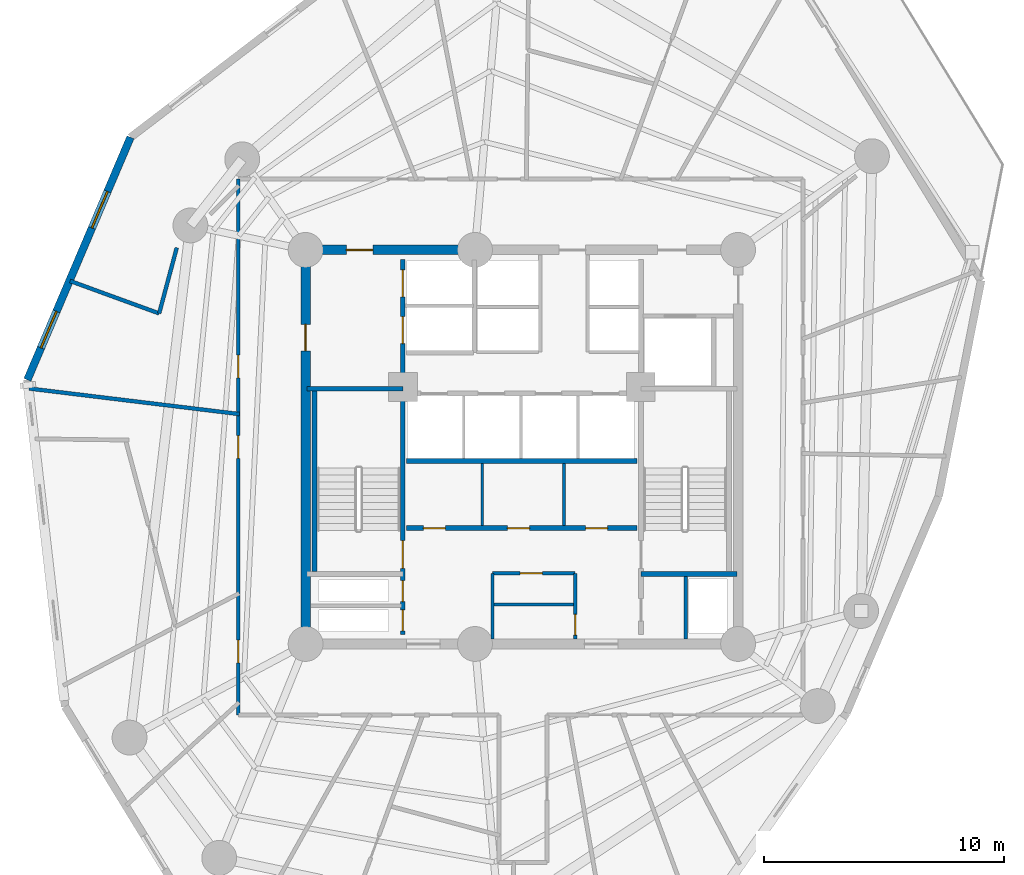
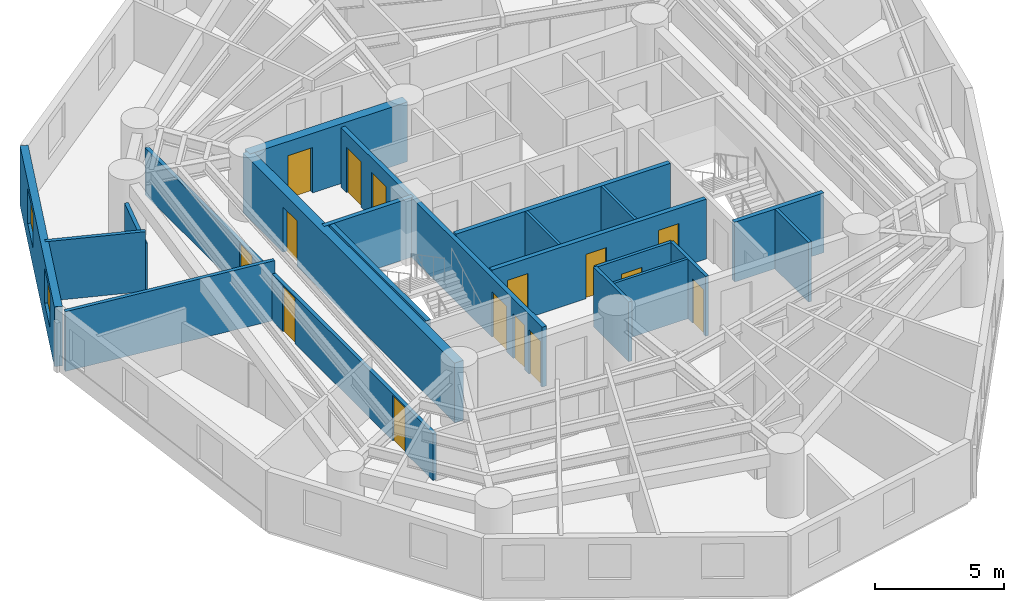
# One storey, part 4 of 9: 20 walls, 15 doors, 2 windows, 17 openings.
"""IFC4 building model written with IfcOpenShell, lengths in metres."""

from ifc_helpers import new_model, si_unit, direction, frame, frame_2d, origin, origin_with_axes, place, context, subcontext, project, spatial, rectangle, extrude, source, transform, mapped, material, layer, layer_set, type_object, element, fill, save


model = new_model("IFC4")

# Units and contexts
model_context = context("Model", 3, precision=1e-05, world=origin(), true_north=direction((0.0, 1.0)))
body_context = subcontext(model_context, "Body", "Model", "MODEL_VIEW")
ifc_project = project(units=[si_unit("LENGTHUNIT", "METRE"), si_unit("AREAUNIT", "SQUARE_METRE"), si_unit("VOLUMEUNIT", "CUBIC_METRE"), si_unit("PLANEANGLEUNIT", "RADIAN"), si_unit("MASSUNIT", "GRAM", prefix="KILO")], contexts=[model_context])

# Site, building, storey
site_placement = place(None, origin())
site = spatial("IfcSite", under=ifc_project, at=site_placement, CompositionType="ELEMENT")
building_placement = place(site_placement, origin())
building = spatial("IfcBuilding", under=site, at=building_placement, Name="Karkom Vertical University and Central Library", CompositionType="ELEMENT")
storey_placement = place(building_placement, frame((0.0, 0.0, 129.75)))
storey = spatial("IfcBuildingStorey", under=building, at=storey_placement, Name="L36", CompositionType="ELEMENT", Elevation=129.75)

# Wall, openings, windows
ifc_material_1 = material(Name="Brick-faced precast concrete C45/55", Category="masonry")
ifc_layer_1 = layer(ifc_material_1, 0.320068359375)
ifc_layer_set_1 = layer_set([ifc_layer_1], Name="Brick-faced precast concrete C45/55")
wall_type_1 = type_object("IfcWallType", Name="ENV-WL-BRK-320", PredefinedType="SOLIDWALL", material=ifc_layer_set_1)
wall_1_placement = place(storey_placement, frame((12.21337890625, 39.3857421875, 0.0), z_axis=(0.0, 0.0, 1.0), x_axis=(-0.391384325622, -0.920227314123, 0.0)))
wall_1 = element("IfcWall", 1, at=wall_1_placement, inside=storey, type_object=wall_type_1, Name="Level 36 Brick-Faced Precast Facade Wall 12", PredefinedType="SOLIDWALL", context=body_context, shape_type="SweptSolid", body=[
    extrude(rectangle(XDim=10.967529296875, YDim=0.320068359375, at=frame_2d((5.48388671875, 0.0))), origin(), (0.0, 0.0, 1.0), 2.824951171875),
])
opening_1_placement = place(wall_1_placement, frame((2.44775390625, 0.0, 0.85009765625)))
opening_1 = element("IfcOpeningElement", 2, at=opening_1_placement, cuts=wall_1, Name="Opening WN-06", PredefinedType="OPENING", context=body_context, shape_type="SweptSolid", body=[
    extrude(rectangle(XDim=1.64990234375, YDim=1.64990234375, at=frame_2d((0.824951171875, 0.824951171875))), frame((0.0, 0.169921875, 0.0), z_axis=(0.0, -1.0, 0.0), x_axis=(1.0, 0.0, 0.0)), (0.0, 0.0, 1.0), 0.340087890625),
])
opening_2_placement = place(wall_1_placement, frame((7.871337890625, 0.0, 0.85009765625)))
opening_2 = element("IfcOpeningElement", 3, at=opening_2_placement, cuts=wall_1, Name="Opening WN-06", PredefinedType="OPENING", context=body_context, shape_type="SweptSolid", body=[
    extrude(rectangle(XDim=1.64990234375, YDim=1.64990234375, at=frame_2d((0.824951171875, 0.824951171875))), frame((0.0, 0.169921875, 0.0), z_axis=(0.0, -1.0, 0.0), x_axis=(1.0, 0.0, 0.0)), (0.0, 0.0, 1.0), 0.340087890625),
])
ifc_material_2 = material(Name="Aluminium thermal-break frame with solar-control IGU", Category="aluminium")
window_type = type_object("IfcWindowType", Name="ENV-WIN-WN-06", PartitioningType="SINGLE_PANEL", PredefinedType="WINDOW", material=ifc_material_2)
shared_shape_1 = source(origin_with_axes(), body_context, "Body", "SweptSolid", [
    extrude(rectangle(XDim=1.64990234375, YDim=1.64990234375, at=frame_2d((0.824951171875, 0.824951171875))), frame((0.0, 0.030029296875, 0.0), z_axis=(0.0, -1.0, 0.0), x_axis=(1.0, 0.0, 0.0)), (0.0, 0.0, 1.0), 0.06005859375),
])
window_1_placement = place(opening_1_placement, origin())
window_1 = element("IfcWindow", 4, at=window_1_placement, inside=storey, type_object=window_type, Name="Level 36 Punched Window 12.1", OverallHeight=1.64990234375, OverallWidth=1.64990234375, PartitioningType="SINGLE_PANEL", PredefinedType="WINDOW", context=body_context, shape_type="MappedRepresentation", body=[
    mapped(shared_shape_1, transform((0.0, 0.0, 0.0), scale=1.0)),
])
fill(opening_1, window_1)
window_2_placement = place(opening_2_placement, origin())
window_2 = element("IfcWindow", 5, at=window_2_placement, inside=storey, type_object=window_type, Name="Level 36 Punched Window 12.2", OverallHeight=1.64990234375, OverallWidth=1.64990234375, PartitioningType="SINGLE_PANEL", PredefinedType="WINDOW", context=body_context, shape_type="MappedRepresentation", body=[
    mapped(shared_shape_1, transform((0.0, 0.0, 0.0), scale=1.0)),
])
fill(opening_2, window_2)

# Wall, openings, doors
ifc_material_3 = material(Name="Insulated metal-stud drywall 160mm", Category="gypsum")
ifc_layer_2 = layer(ifc_material_3, 0.159912109375)
ifc_layer_set_2 = layer_set([ifc_layer_2], Name="Insulated metal-stud drywall 160mm")
wall_type_2 = type_object("IfcWallType", Name="INT-WL-COR-160", PredefinedType="PARTITIONING", material=ifc_layer_set_2)
wall_2_placement = place(storey_placement, frame((16.699951171875, 15.35009765625, 0.0), z_axis=(0.0, 0.0, 1.0), x_axis=(0.0, 1.0, 0.0)))
wall_2 = element("IfcWall", 6, at=wall_2_placement, inside=storey, type_object=wall_type_2, Name="Level 36 Interior Partition Wall L36-CORW-CW-002", PredefinedType="PARTITIONING", context=body_context, shape_type="SweptSolid", body=[
    extrude(rectangle(XDim=22.2998046875, YDim=0.159912109375, at=frame_2d((11.14990234375, 0.0))), origin(), (0.0, 0.0, 1.0), 2.22509765625),
])
opening_3_placement = place(wall_2_placement, frame((10.675048828125, 0.0, 0.0)))
opening_3 = element("IfcOpeningElement", 7, at=opening_3_placement, cuts=wall_2, Name="Opening D-RM1", PredefinedType="OPENING", context=body_context, shape_type="SweptSolid", body=[
    extrude(rectangle(XDim=0.949951171875, YDim=2.14990234375, at=frame_2d((0.47509765625, 1.074951171875))), frame((0.0, 0.08984375, 0.0), z_axis=(0.0, -1.0, 0.0), x_axis=(1.0, 0.0, 0.0)), (0.0, 0.0, 1.0), 0.179931640625),
])
opening_4_placement = place(wall_2_placement, frame((2.158935546875, 0.0, 0.0)))
opening_4 = element("IfcOpeningElement", 8, at=opening_4_placement, cuts=wall_2, Name="Opening D-RM1", PredefinedType="OPENING", context=body_context, shape_type="SweptSolid", body=[
    extrude(rectangle(XDim=0.949951171875, YDim=2.14990234375, at=frame_2d((0.47509765625, 1.074951171875))), frame((0.0, 0.08984375, 0.0), z_axis=(0.0, -1.0, 0.0), x_axis=(1.0, 0.0, 0.0)), (0.0, 0.0, 1.0), 0.179931640625),
])
opening_5_placement = place(wall_2_placement, frame((14.02001953125, 0.0, 0.0)))
opening_5 = element("IfcOpeningElement", 9, at=opening_5_placement, cuts=wall_2, Name="Opening D-RM1", PredefinedType="OPENING", context=body_context, shape_type="SweptSolid", body=[
    extrude(rectangle(XDim=0.949951171875, YDim=2.14990234375, at=frame_2d((0.47509765625, 1.074951171875))), frame((0.0, 0.08984375, 0.0), z_axis=(0.0, -1.0, 0.0), x_axis=(1.0, 0.0, 0.0)), (0.0, 0.0, 1.0), 0.179931640625),
])
ifc_material_4 = material(Name="Solid-core oak veneer door", Category="wood")
door_type_1 = type_object("IfcDoorType", Name="INT-DR-RM1", OperationType="NOTDEFINED", PredefinedType="DOOR", material=ifc_material_4)
shared_shape_2 = source(origin_with_axes(), body_context, "Body", "SweptSolid", [
    extrude(rectangle(XDim=0.949951171875, YDim=2.14990234375, at=frame_2d((0.47509765625, 1.074951171875))), frame((0.0, 0.02490234375, 0.0), z_axis=(0.0, -1.0, 0.0), x_axis=(1.0, 0.0, 0.0)), (0.0, 0.0, 1.0), 0.050048828125),
])
door_1_placement = place(opening_3_placement, origin())
door_1 = element("IfcDoor", 10, at=door_1_placement, inside=storey, type_object=door_type_1, Name="Level 36 Room Entry Door 000", OperationType="SINGLE_SWING_RIGHT", OverallHeight=2.14990234375, OverallWidth=0.949951171875, PredefinedType="DOOR", context=body_context, shape_type="MappedRepresentation", body=[
    mapped(shared_shape_2, transform((0.0, 0.0, 0.0), scale=1.0)),
])
fill(opening_3, door_1)
door_2_placement = place(opening_4_placement, origin())
door_2 = element("IfcDoor", 11, at=door_2_placement, inside=storey, type_object=door_type_1, Name="Level 36 Room Entry Door 020", OperationType="SINGLE_SWING_LEFT", OverallHeight=2.14990234375, OverallWidth=0.949951171875, PredefinedType="DOOR", context=body_context, shape_type="MappedRepresentation", body=[
    mapped(shared_shape_2, transform((0.0, 0.0, 0.0), scale=1.0)),
])
fill(opening_4, door_2)
door_3_placement = place(opening_5_placement, origin())
door_3 = element("IfcDoor", 12, at=door_3_placement, inside=storey, type_object=door_type_1, Name="Level 36 Room Entry Door 220", OperationType="SINGLE_SWING_LEFT", OverallHeight=2.14990234375, OverallWidth=0.949951171875, PredefinedType="DOOR", context=body_context, shape_type="MappedRepresentation", body=[
    mapped(shared_shape_2, transform((0.0, 0.0, 0.0), scale=1.0)),
])
fill(opening_5, door_3)

# Walls
wall_3_placement = place(storey_placement, frame((7.989501953125, 28.93115234375, 0.0), z_axis=(0.0, 0.0, 1.0), x_axis=(0.992703690009, -0.120579367399, 0.0)))
element("IfcWall", 13, at=wall_3_placement, inside=storey, type_object=wall_type_2, Name="Level 36 Interior Partition Wall L36-PW-004", PredefinedType="PARTITIONING", context=body_context, shape_type="SweptSolid", body=[
    extrude(rectangle(XDim=8.81982421875, YDim=0.159912109375, at=frame_2d((4.409912109375, 0.0))), origin(), (0.0, 0.0, 1.0), 2.824951171875),
])
wall_4_placement = place(storey_placement, frame((13.406005859375, 32.056640625, 0.0), z_axis=(0.0, 0.0, 1.0), x_axis=(-0.939706694021, 0.341981474954, 0.0)))
element("IfcWall", 14, at=wall_4_placement, inside=storey, type_object=wall_type_2, Name="Level 36 Interior Partition Wall L36-PW-028", PredefinedType="PARTITIONING", context=body_context, shape_type="SweptSolid", body=[
    extrude(rectangle(XDim=3.946533203125, YDim=0.159912109375, at=frame_2d((1.97314453125, 0.0))), origin(), (0.0, 0.0, 1.0), 2.824951171875),
])
wall_5_placement = place(storey_placement, frame((14.138916015625, 34.79150390625, 0.0), z_axis=(0.0, 0.0, 1.0), x_axis=(-0.258853892004, -0.965916488416, 0.0)))
element("IfcWall", 15, at=wall_5_placement, inside=storey, type_object=wall_type_2, Name="Level 36 Interior Partition Wall L36-PW-027", PredefinedType="PARTITIONING", context=body_context, shape_type="SweptSolid", body=[
    extrude(rectangle(XDim=2.831298828125, YDim=0.159912109375, at=frame_2d((1.41552734375, 0.0))), origin(), (0.0, 0.0, 1.0), 2.22509765625),
])
ifc_material_5 = material(Name="Moisture-resistant drywall 120mm", Category="gypsum")
ifc_layer_3 = layer(ifc_material_5, 0.1201171875)
ifc_layer_set_3 = layer_set([ifc_layer_3], Name="Moisture-resistant drywall 120mm")
wall_type_3 = type_object("IfcWallType", Name="INT-WL-INT-120", PredefinedType="PARTITIONING", material=ifc_layer_set_3)
wall_6_placement = place(storey_placement, frame((27.280029296875, 19.93994140625, 0.0), z_axis=(0.0, 0.0, 1.0), x_axis=(1.0, 0.0, 0.0)))
element("IfcWall", 16, at=wall_6_placement, inside=storey, type_object=wall_type_3, Name="Level 36 Interior Partition Wall L36-CW-K4-DIV", PredefinedType="PARTITIONING", context=body_context, shape_type="SweptSolid", body=[
    extrude(rectangle(XDim=3.43994140625, YDim=0.1201171875, at=frame_2d((1.719970703125, 0.0))), origin(), (0.0, 0.0, 1.0), 2.824951171875),
])
for number, where, z_axis, x_axis, name in (
    (17, (26.85009765625, 23.22705078125, 0.0), (0.0, 0.0, 1.0), (0.0, 1.0, 0.0), "Level 36 Interior Partition Wall L36-CW-B1-K4A"),
    (18, (30.25, 23.22705078125, 0.0), (0.0, 0.0, 1.0), (0.0, 1.0, 0.0), "Level 36 Interior Partition Wall L36-CW-B1-K4B"),
):
    element("IfcWall", number, at=place(storey_placement, frame(where, z_axis=z_axis, x_axis=x_axis)), inside=storey, type_object=wall_type_3, Name=name, PredefinedType="PARTITIONING", context=body_context, shape_type="SweptSolid", body=[
        extrude(rectangle(XDim=2.586669921875, YDim=0.1201171875, at=frame_2d((1.29345703125, 0.0))), origin(), (0.0, 0.0, 1.0), 2.824951171875),
    ])

# Wall, opening, door
ifc_material_6 = material(Name="Metal-stud gypsum partition 140mm", Category="gypsum")
ifc_layer_4 = layer(ifc_material_6, 0.139892578125)
ifc_layer_set_4 = layer_set([ifc_layer_4], Name="Metal-stud gypsum partition 140mm")
wall_type_4 = type_object("IfcWallType", Name="INT-WL-SUB-140", PredefinedType="PARTITIONING", material=ifc_layer_set_4)
wall_7_placement = place(storey_placement, frame((27.280029296875, 21.239990234375, 0.0), z_axis=(0.0, 0.0, 1.0), x_axis=(1.0, 0.0, 0.0)))
wall_7 = element("IfcWall", 19, at=wall_7_placement, inside=storey, type_object=wall_type_4, Name="Level 36 Interior Partition Wall L36-CW-KBAY-N", PredefinedType="PARTITIONING", context=body_context, shape_type="SweptSolid", body=[
    extrude(rectangle(XDim=3.43994140625, YDim=0.139892578125, at=frame_2d((1.719970703125, 0.0))), origin(), (0.0, 0.0, 1.0), 2.824951171875),
])
opening_6_placement = place(wall_7_placement, frame((1.14990234375, 0.0, 0.0)))
opening_6 = element("IfcOpeningElement", 20, at=opening_6_placement, cuts=wall_7, Name="Opening D-SVC1", PredefinedType="OPENING", context=body_context, shape_type="SweptSolid", body=[
    extrude(rectangle(XDim=0.919921875, YDim=2.10009765625, at=frame_2d((0.4599609375, 1.050048828125))), frame((0.0, 0.080078125, 0.0), z_axis=(0.0, -1.0, 0.0), x_axis=(1.0, 0.0, 0.0)), (0.0, 0.0, 1.0), 0.159912109375),
])
ifc_material_7 = material(Name="Painted timber service door", Category="wood")
door_type_2 = type_object("IfcDoorType", Name="INT-DR-SVC1", OperationType="NOTDEFINED", PredefinedType="DOOR", material=ifc_material_7)
shared_shape_3 = source(origin_with_axes(), body_context, "Body", "SweptSolid", [
    extrude(rectangle(XDim=0.919921875, YDim=2.10009765625, at=frame_2d((0.4599609375, 1.050048828125))), frame((0.0, 0.02490234375, 0.0), z_axis=(0.0, -1.0, 0.0), x_axis=(1.0, 0.0, 0.0)), (0.0, 0.0, 1.0), 0.050048828125),
])
door_4_placement = place(opening_6_placement, origin())
door_4 = element("IfcDoor", 21, at=door_4_placement, inside=storey, type_object=door_type_2, Name="Level 36 Valve Cupboard Door", OperationType="SINGLE_SWING_LEFT", OverallHeight=2.10009765625, OverallWidth=0.919921875, PredefinedType="DOOR", context=body_context, shape_type="MappedRepresentation", body=[
    mapped(shared_shape_3, transform((0.0, 0.0, 0.0), scale=1.0)),
])
fill(opening_6, door_4)

# Wall
wall_8_placement = place(storey_placement, frame((27.280029296875, 18.507080078125, 0.0), z_axis=(0.0, 0.0, 1.0), x_axis=(0.0, 1.0, 0.0)))
element("IfcWall", 22, at=wall_8_placement, inside=storey, type_object=wall_type_4, Name="Level 36 Interior Partition Wall L36-CW-KBAY-W", PredefinedType="PARTITIONING", context=body_context, shape_type="SweptSolid", body=[
    extrude(rectangle(XDim=2.73291015625, YDim=0.139892578125, at=frame_2d((1.366455078125, 0.0))), origin(), (0.0, 0.0, 1.0), 2.824951171875),
])

# Wall, opening, door
wall_9_placement = place(storey_placement, frame((30.719970703125, 18.507080078125, 0.0), z_axis=(0.0, 0.0, 1.0), x_axis=(0.0, 1.0, 0.0)))
wall_9 = element("IfcWall", 23, at=wall_9_placement, inside=storey, type_object=wall_type_4, Name="Level 36 Interior Partition Wall L36-CW-KBAY-E", PredefinedType="PARTITIONING", context=body_context, shape_type="SweptSolid", body=[
    extrude(rectangle(XDim=2.73291015625, YDim=0.139892578125, at=frame_2d((1.366455078125, 0.0))), origin(), (0.0, 0.0, 1.0), 2.824951171875),
])
opening_7_placement = place(wall_9_placement, frame((0.159912109375, 0.0, 0.0)))
opening_7 = element("IfcOpeningElement", 24, at=opening_7_placement, cuts=wall_9, Name="Opening FD-BTH1", PredefinedType="OPENING", context=body_context, shape_type="SweptSolid", body=[
    extrude(rectangle(XDim=0.860107421875, YDim=2.10009765625, at=frame_2d((0.43017578125, 1.050048828125))), frame((0.0, 0.080078125, 0.0), z_axis=(0.0, -1.0, 0.0), x_axis=(1.0, 0.0, 0.0)), (0.0, 0.0, 1.0), 0.159912109375),
])
ifc_material_8 = material(Name="Fire-rated moisture-resistant oak door", Category="wood")
door_type_3 = type_object("IfcDoorType", Name="INT-DR-FBTH1", OperationType="NOTDEFINED", PredefinedType="DOOR", material=ifc_material_8)
shared_shape_4 = source(origin_with_axes(), body_context, "Body", "SweptSolid", [
    extrude(rectangle(XDim=0.860107421875, YDim=2.10009765625, at=frame_2d((0.43017578125, 1.050048828125))), frame((0.0, 0.02490234375, 0.0), z_axis=(0.0, -1.0, 0.0), x_axis=(1.0, 0.0, 0.0)), (0.0, 0.0, 1.0), 0.050048828125),
])
door_5_placement = place(opening_7_placement, origin())
door_5 = element("IfcDoor", 25, at=door_5_placement, inside=storey, type_object=door_type_3, Name="Level 36 Metering Cupboard Door", OperationType="SINGLE_SWING_RIGHT", OverallHeight=2.10009765625, OverallWidth=0.860107421875, PredefinedType="DOOR", context=body_context, shape_type="MappedRepresentation", body=[
    mapped(shared_shape_4, transform((0.0, 0.0, 0.0), scale=1.0)),
])
fill(opening_7, door_5)

# Wall
ifc_layer_5 = layer(ifc_material_6, 0.139892578125)
ifc_layer_set_5 = layer_set([ifc_layer_5], Name="Metal-stud gypsum partition 140mm")
wall_type_5 = type_object("IfcWallType", Name="INT-WL-SUB-140H", PredefinedType="PARTITIONING", material=ifc_layer_set_5)
wall_10_placement = place(storey_placement, frame((35.320068359375, 18.507080078125, 0.0), z_axis=(0.0, 0.0, 1.0), x_axis=(0.0, 1.0, 0.0)))
element("IfcWall", 26, at=wall_10_placement, inside=storey, type_object=wall_type_5, Name="Level 36 Interior Partition Wall L36-CW-RIS-E", PredefinedType="PARTITIONING", context=body_context, shape_type="SweptSolid", body=[
    extrude(rectangle(XDim=2.603759765625, YDim=0.139892578125, at=frame_2d((1.3017578125, 0.0))), origin(), (0.0, 0.0, 1.0), 2.824951171875),
])

# Wall, opening, door
ifc_material_9 = material(Name="Concrete C50/60", Category="concrete")
ifc_layer_6 = layer(ifc_material_9, 0.39990234375)
ifc_layer_set_6 = layer_set([ifc_layer_6], Name="Concrete C50/60")
wall_type_6 = type_object("IfcWallType", Name="STR-WL-CW-400", PredefinedType="SHEAR", material=ifc_layer_set_6)
wall_11_placement = place(storey_placement, frame((26.550048828125, 34.699951171875, 0.0), z_axis=(0.0, 0.0, 1.0), x_axis=(-1.0, 0.0, 0.0)))
wall_11 = element("IfcWall", 27, at=wall_11_placement, inside=storey, type_object=wall_type_6, Name="Level 36 Central Core Shear Wall NW2", PredefinedType="SHEAR", context=body_context, shape_type="SweptSolid", body=[
    extrude(rectangle(XDim=7.050048828125, YDim=0.39990234375, at=frame_2d((3.52490234375, 0.0))), origin(), (0.0, 0.0, 1.0), 2.824951171875),
])
opening_8_placement = place(wall_11_placement, frame((4.25, 0.0, 0.0)))
opening_8 = element("IfcOpeningElement", 28, at=opening_8_placement, cuts=wall_11, Name="Opening FD-FFL", PredefinedType="OPENING", context=body_context, shape_type="SweptSolid", body=[
    extrude(rectangle(XDim=1.10009765625, YDim=2.14990234375, at=frame_2d((0.550048828125, 1.074951171875))), frame((0.0, 0.2099609375, 0.0), z_axis=(0.0, -1.0, 0.0), x_axis=(1.0, 0.0, 0.0)), (0.0, 0.0, 1.0), 0.419921875),
])
ifc_material_10 = material(Name="Painted steel smoke-seal fire door", Category="steel")
door_type_4 = type_object("IfcDoorType", Name="INT-DR-FFL", OperationType="NOTDEFINED", PredefinedType="DOOR", material=ifc_material_10)
shared_shape_5 = source(origin_with_axes(), body_context, "Body", "SweptSolid", [
    extrude(rectangle(XDim=1.10009765625, YDim=2.14990234375, at=frame_2d((0.550048828125, 1.074951171875))), frame((0.0, 0.02490234375, 0.0), z_axis=(0.0, -1.0, 0.0), x_axis=(1.0, 0.0, 0.0)), (0.0, 0.0, 1.0), 0.050048828125),
])
door_6_placement = place(opening_8_placement, origin())
door_6 = element("IfcDoor", 29, at=door_6_placement, inside=storey, type_object=door_type_4, Name="Level 36 Firefighting Lobby Door", OperationType="SINGLE_SWING_LEFT", OverallHeight=2.14990234375, OverallWidth=1.10009765625, PredefinedType="DOOR", context=body_context, shape_type="MappedRepresentation", body=[
    mapped(shared_shape_5, transform((0.0, 0.0, 0.0), scale=1.0)),
])
fill(opening_8, door_6)

wall_12_placement = place(storey_placement, frame((19.5, 34.699951171875, 0.0), z_axis=(0.0, 0.0, 1.0), x_axis=(0.0, -1.0, 0.0)))
wall_12 = element("IfcWall", 30, at=wall_12_placement, inside=storey, type_object=wall_type_6, Name="Level 36 Central Core Shear Wall WW", PredefinedType="SHEAR", context=body_context, shape_type="SweptSolid", body=[
    extrude(rectangle(XDim=16.39990234375, YDim=0.39990234375, at=frame_2d((8.199951171875, 0.0))), origin(), (0.0, 0.0, 1.0), 2.824951171875),
])
opening_9_placement = place(wall_12_placement, frame((3.10009765625, 0.0, 0.0)))
opening_9 = element("IfcOpeningElement", 31, at=opening_9_placement, cuts=wall_12, Name="Opening FD-FFL", PredefinedType="OPENING", context=body_context, shape_type="SweptSolid", body=[
    extrude(rectangle(XDim=1.10009765625, YDim=2.14990234375, at=frame_2d((0.550048828125, 1.074951171875))), frame((0.0, 0.2099609375, 0.0), z_axis=(0.0, -1.0, 0.0), x_axis=(1.0, 0.0, 0.0)), (0.0, 0.0, 1.0), 0.419921875),
])
door_7_placement = place(opening_9_placement, origin())
door_7 = element("IfcDoor", 32, at=door_7_placement, inside=storey, type_object=door_type_4, Name="Level 36 West Corridor Firefighting Lobby Door", OperationType="SINGLE_SWING_RIGHT", OverallHeight=2.14990234375, OverallWidth=1.10009765625, PredefinedType="DOOR", context=body_context, shape_type="MappedRepresentation", body=[
    mapped(shared_shape_5, transform((0.0, 0.0, 0.0), scale=1.0)),
])
fill(opening_9, door_7)

# Wall, openings, doors
ifc_material_11 = material(Name="Concrete C45/55", Category="concrete")
ifc_layer_7 = layer(ifc_material_11, 0.199951171875)
ifc_layer_set_7 = layer_set([ifc_layer_7], Name="Concrete C45/55")
wall_type_7 = type_object("IfcWallType", Name="STR-WL-ST-200", PredefinedType="SHEAR", material=ifc_layer_set_7)
wall_13_placement = place(storey_placement, frame((23.544921875, 18.699951171875, 0.0), z_axis=(0.0, 0.0, 1.0), x_axis=(0.0, 1.0, 0.0)))
wall_13 = element("IfcWall", 33, at=wall_13_placement, inside=storey, type_object=wall_type_7, Name="Level 36 Core Shaft Wall L36-CW-ST1-E", PredefinedType="SHEAR", context=body_context, shape_type="SweptSolid", body=[
    extrude(rectangle(XDim=15.60009765625, YDim=0.199951171875, at=frame_2d((7.800048828125, 0.0))), origin(), (0.0, 0.0, 1.0), 2.824951171875),
])
opening_10_placement = place(wall_13_placement, frame((2.75, 0.0, 0.0)))
opening_10 = element("IfcOpeningElement", 34, at=opening_10_placement, cuts=wall_13, Name="Opening FD-ST1", PredefinedType="OPENING", context=body_context, shape_type="SweptSolid", body=[
    extrude(rectangle(XDim=1.14990234375, YDim=2.14990234375, at=frame_2d((0.574951171875, 1.074951171875))), frame((0.0, 0.10986328125, 0.0), z_axis=(0.0, -1.0, 0.0), x_axis=(1.0, 0.0, 0.0)), (0.0, 0.0, 1.0), 0.219970703125),
])
opening_11_placement = place(wall_13_placement, frame((0.139892578125, 0.0, 0.0)))
opening_11 = element("IfcOpeningElement", 35, at=opening_11_placement, cuts=wall_13, Name="Opening FD-RIS", PredefinedType="OPENING", context=body_context, shape_type="SweptSolid", body=[
    extrude(rectangle(XDim=0.8798828125, YDim=2.10009765625, at=frame_2d((0.43994140625, 1.050048828125))), frame((0.0, 0.10986328125, 0.0), z_axis=(0.0, -1.0, 0.0), x_axis=(1.0, 0.0, 0.0)), (0.0, 0.0, 1.0), 0.219970703125),
])
opening_12_placement = place(wall_13_placement, frame((1.360107421875, 0.0, 0.0)))
opening_12 = element("IfcOpeningElement", 36, at=opening_12_placement, cuts=wall_13, Name="Opening FD-RIS", PredefinedType="OPENING", context=body_context, shape_type="SweptSolid", body=[
    extrude(rectangle(XDim=0.8798828125, YDim=2.10009765625, at=frame_2d((0.43994140625, 1.050048828125))), frame((0.0, 0.10986328125, 0.0), z_axis=(0.0, -1.0, 0.0), x_axis=(1.0, 0.0, 0.0)), (0.0, 0.0, 1.0), 0.219970703125),
])
opening_13_placement = place(wall_13_placement, frame((12.10009765625, 0.0, 0.0)))
opening_13 = element("IfcOpeningElement", 37, at=opening_13_placement, cuts=wall_13, Name="Opening LD-FFL", PredefinedType="OPENING", context=body_context, shape_type="SweptSolid", body=[
    extrude(rectangle(XDim=1.1201171875, YDim=2.14990234375, at=frame_2d((0.56005859375, 1.074951171875))), frame((0.0, 0.10986328125, 0.0), z_axis=(0.0, -1.0, 0.0), x_axis=(1.0, 0.0, 0.0)), (0.0, 0.0, 1.0), 0.219970703125),
])
opening_14_placement = place(wall_13_placement, frame((14.050048828125, 0.0, 0.0)))
opening_14 = element("IfcOpeningElement", 38, at=opening_14_placement, cuts=wall_13, Name="Opening LD-FFL", PredefinedType="OPENING", context=body_context, shape_type="SweptSolid", body=[
    extrude(rectangle(XDim=1.1201171875, YDim=2.14990234375, at=frame_2d((0.56005859375, 1.074951171875))), frame((0.0, 0.10986328125, 0.0), z_axis=(0.0, -1.0, 0.0), x_axis=(1.0, 0.0, 0.0)), (0.0, 0.0, 1.0), 0.219970703125),
])
ifc_material_12 = material(Name="Painted steel acoustic fire door", Category="steel")
door_type_5 = type_object("IfcDoorType", Name="INT-DR-ST1", OperationType="NOTDEFINED", PredefinedType="DOOR", material=ifc_material_12)
shared_shape_6 = source(origin_with_axes(), body_context, "Body", "SweptSolid", [
    extrude(rectangle(XDim=1.14990234375, YDim=2.14990234375, at=frame_2d((0.574951171875, 1.074951171875))), frame((0.0, 0.02490234375, 0.0), z_axis=(0.0, -1.0, 0.0), x_axis=(1.0, 0.0, 0.0)), (0.0, 0.0, 1.0), 0.050048828125),
])
door_8_placement = place(opening_10_placement, origin())
door_8 = element("IfcDoor", 39, at=door_8_placement, inside=storey, type_object=door_type_5, Name="Level 36 Stair ST-1 Fire Door", OperationType="SINGLE_SWING_LEFT", OverallHeight=2.14990234375, OverallWidth=1.14990234375, PredefinedType="DOOR", context=body_context, shape_type="MappedRepresentation", body=[
    mapped(shared_shape_6, transform((0.0, 0.0, 0.0), scale=1.0)),
])
fill(opening_10, door_8)
ifc_material_13 = material(Name="Painted steel riser access door", Category="steel")
door_type_6 = type_object("IfcDoorType", Name="INT-DR-RIS", OperationType="NOTDEFINED", PredefinedType="DOOR", material=ifc_material_13)
shared_shape_7 = source(origin_with_axes(), body_context, "Body", "SweptSolid", [
    extrude(rectangle(XDim=0.8798828125, YDim=2.10009765625, at=frame_2d((0.43994140625, 1.050048828125))), frame((0.0, 0.02490234375, 0.0), z_axis=(0.0, -1.0, 0.0), x_axis=(1.0, 0.0, 0.0)), (0.0, 0.0, 1.0), 0.050048828125),
])
door_9_placement = place(opening_11_placement, origin())
door_9 = element("IfcDoor", 40, at=door_9_placement, inside=storey, type_object=door_type_6, Name="Level 36 Electrical Riser Access Door", OperationType="SINGLE_SWING_LEFT", OverallHeight=2.10009765625, OverallWidth=0.8798828125, PredefinedType="DOOR", context=body_context, shape_type="MappedRepresentation", body=[
    mapped(shared_shape_7, transform((0.0, 0.0, 0.0), scale=1.0)),
])
fill(opening_11, door_9)
door_10_placement = place(opening_12_placement, origin())
door_10 = element("IfcDoor", 41, at=door_10_placement, inside=storey, type_object=door_type_6, Name="Level 36 Telecom Riser Access Door", OperationType="SINGLE_SWING_RIGHT", OverallHeight=2.10009765625, OverallWidth=0.8798828125, PredefinedType="DOOR", context=body_context, shape_type="MappedRepresentation", body=[
    mapped(shared_shape_7, transform((0.0, 0.0, 0.0), scale=1.0)),
])
fill(opening_12, door_10)
ifc_material_14 = material(Name="Fire-rated stainless-steel landing door", Category="steel")
door_type_7 = type_object("IfcDoorType", Name="INT-DR-LD-FFL", OperationType="SLIDING_TO_LEFT", PredefinedType="DOOR", material=ifc_material_14)
shared_shape_8 = source(origin_with_axes(), body_context, "Body", "SweptSolid", [
    extrude(rectangle(XDim=1.1201171875, YDim=2.14990234375, at=frame_2d((0.56005859375, 1.074951171875))), frame((0.0, 0.02490234375, 0.0), z_axis=(0.0, -1.0, 0.0), x_axis=(1.0, 0.0, 0.0)), (0.0, 0.0, 1.0), 0.050048828125),
])
door_11_placement = place(opening_13_placement, origin())
door_11 = element("IfcDoor", 42, at=door_11_placement, inside=storey, type_object=door_type_7, Name="Level 36 Firefighting Lift FFL-1 Landing Door", OperationType="SLIDING_TO_LEFT", OverallHeight=2.14990234375, OverallWidth=1.1201171875, PredefinedType="DOOR", context=body_context, shape_type="MappedRepresentation", body=[
    mapped(shared_shape_8, transform((0.0, 0.0, 0.0), scale=1.0)),
])
fill(opening_13, door_11)
door_12_placement = place(opening_14_placement, origin())
door_12 = element("IfcDoor", 43, at=door_12_placement, inside=storey, type_object=door_type_7, Name="Level 36 Firefighting Lift FFL-2 Landing Door", OperationType="SLIDING_TO_RIGHT", OverallHeight=2.14990234375, OverallWidth=1.1201171875, PredefinedType="DOOR", context=body_context, shape_type="MappedRepresentation", body=[
    mapped(shared_shape_8, transform((0.0, 0.0, 0.0), scale=1.0)),
])
fill(opening_14, door_12)

wall_14_placement = place(storey_placement, frame((23.699951171875, 23.1201171875, 0.0), z_axis=(0.0, 0.0, 1.0), x_axis=(1.0, 0.0, 0.0)))
wall_14 = element("IfcWall", 44, at=wall_14_placement, inside=storey, type_object=wall_type_7, Name="Level 36 Core Shaft Wall L36-CW-B1-S", PredefinedType="SHEAR", context=body_context, shape_type="SweptSolid", body=[
    extrude(rectangle(XDim=9.60009765625, YDim=0.199951171875, at=frame_2d((4.800048828125, 0.0))), origin(), (0.0, 0.0, 1.0), 2.824951171875),
])
opening_15_placement = place(wall_14_placement, frame((0.699951171875, 0.0, 0.0)))
opening_15 = element("IfcOpeningElement", 45, at=opening_15_placement, cuts=wall_14, Name="Opening D-SVC1", PredefinedType="OPENING", context=body_context, shape_type="SweptSolid", body=[
    extrude(rectangle(XDim=0.919921875, YDim=2.10009765625, at=frame_2d((0.4599609375, 1.050048828125))), frame((0.0, 0.10986328125, 0.0), z_axis=(0.0, -1.0, 0.0), x_axis=(1.0, 0.0, 0.0)), (0.0, 0.0, 1.0), 0.219970703125),
])
opening_16_placement = place(wall_14_placement, frame((4.199951171875, 0.0, 0.0)))
opening_16 = element("IfcOpeningElement", 46, at=opening_16_placement, cuts=wall_14, Name="Opening D-SVC1", PredefinedType="OPENING", context=body_context, shape_type="SweptSolid", body=[
    extrude(rectangle(XDim=0.919921875, YDim=2.10009765625, at=frame_2d((0.4599609375, 1.050048828125))), frame((0.0, 0.10986328125, 0.0), z_axis=(0.0, -1.0, 0.0), x_axis=(1.0, 0.0, 0.0)), (0.0, 0.0, 1.0), 0.219970703125),
])
opening_17_placement = place(wall_14_placement, frame((7.449951171875, 0.0, 0.0)))
opening_17 = element("IfcOpeningElement", 47, at=opening_17_placement, cuts=wall_14, Name="Opening D-SVC1", PredefinedType="OPENING", context=body_context, shape_type="SweptSolid", body=[
    extrude(rectangle(XDim=0.919921875, YDim=2.10009765625, at=frame_2d((0.4599609375, 1.050048828125))), frame((0.0, 0.10986328125, 0.0), z_axis=(0.0, -1.0, 0.0), x_axis=(1.0, 0.0, 0.0)), (0.0, 0.0, 1.0), 0.219970703125),
])
door_13_placement = place(opening_15_placement, origin())
door_13 = element("IfcDoor", 48, at=door_13_placement, inside=storey, type_object=door_type_2, Name="Level 36 B1 Store A Door", OperationType="SINGLE_SWING_RIGHT", OverallHeight=2.10009765625, OverallWidth=0.919921875, PredefinedType="DOOR", context=body_context, shape_type="MappedRepresentation", body=[
    mapped(shared_shape_3, transform((0.0, 0.0, 0.0), scale=1.0)),
])
fill(opening_15, door_13)
door_14_placement = place(opening_16_placement, origin())
door_14 = element("IfcDoor", 49, at=door_14_placement, inside=storey, type_object=door_type_2, Name="Level 36 B1 Comms Door", OperationType="SINGLE_SWING_LEFT", OverallHeight=2.10009765625, OverallWidth=0.919921875, PredefinedType="DOOR", context=body_context, shape_type="MappedRepresentation", body=[
    mapped(shared_shape_3, transform((0.0, 0.0, 0.0), scale=1.0)),
])
fill(opening_16, door_14)
door_15_placement = place(opening_17_placement, origin())
door_15 = element("IfcDoor", 50, at=door_15_placement, inside=storey, type_object=door_type_2, Name="Level 36 B1 Store C Door", OperationType="SINGLE_SWING_RIGHT", OverallHeight=2.10009765625, OverallWidth=0.919921875, PredefinedType="DOOR", context=body_context, shape_type="MappedRepresentation", body=[
    mapped(shared_shape_3, transform((0.0, 0.0, 0.0), scale=1.0)),
])
fill(opening_17, door_15)

# Walls
wall_15_placement = place(storey_placement, frame((23.699951171875, 25.919921875, 0.0), z_axis=(0.0, 0.0, 1.0), x_axis=(1.0, 0.0, 0.0)))
element("IfcWall", 51, at=wall_15_placement, inside=storey, type_object=wall_type_7, Name="Level 36 Core Shaft Wall L36-CW-B1-N", PredefinedType="SHEAR", context=body_context, shape_type="SweptSolid", body=[
    extrude(rectangle(XDim=9.60009765625, YDim=0.199951171875, at=frame_2d((4.800048828125, 0.0))), origin(), (0.0, 0.0, 1.0), 2.824951171875),
])
wall_16_placement = place(storey_placement, frame((19.875, 21.320068359375, 0.0), z_axis=(0.0, 0.0, 1.0), x_axis=(0.0, 1.0, 0.0)))
element("IfcWall", 52, at=wall_16_placement, inside=storey, type_object=wall_type_7, Name="Level 36 Core Shaft Wall L36-CW-ST1-W", PredefinedType="SHEAR", context=body_context, shape_type="SweptSolid", body=[
    extrude(rectangle(XDim=7.5, YDim=0.199951171875, at=frame_2d((3.75, 0.0))), origin(), (0.0, 0.0, 1.0), 2.824951171875),
])
for number, where, z_axis, x_axis, name in (
    (53, (33.455078125, 21.215087890625, 0.0), (0.0, 0.0, 1.0), (1.0, 0.0, 0.0), "Level 36 Core Shaft Wall L36-CW-ST2-S"),
    (54, (19.550048828125, 28.925048828125, 0.0), (0.0, 0.0, 1.0), (1.0, 0.0, 0.0), "Level 36 Core Shaft Wall L36-CW-ST1-N"),
):
    element("IfcWall", number, at=place(storey_placement, frame(where, z_axis=z_axis, x_axis=x_axis)), inside=storey, type_object=wall_type_7, Name=name, PredefinedType="SHEAR", context=body_context, shape_type="SweptSolid", body=[
        extrude(rectangle(XDim=3.994873046875, YDim=0.199951171875, at=frame_2d((1.99755859375, 0.0))), origin(), (0.0, 0.0, 1.0), 2.824951171875),
    ])

save(model, "model.ifc")
